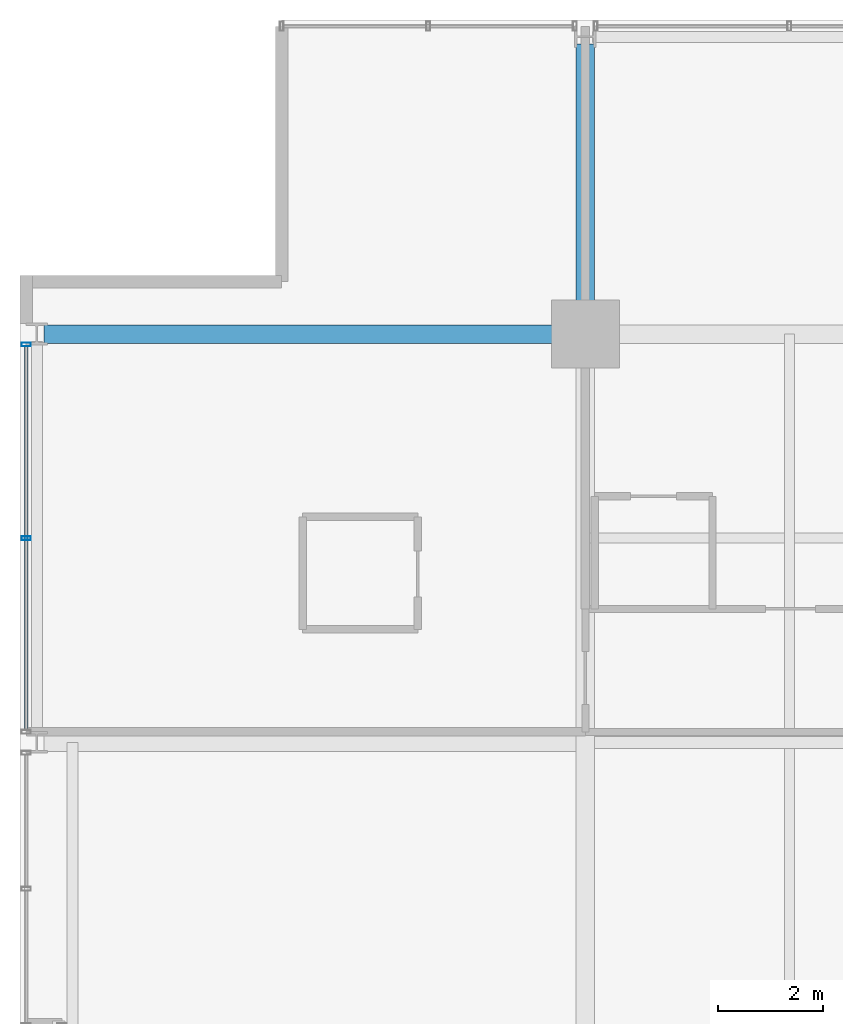
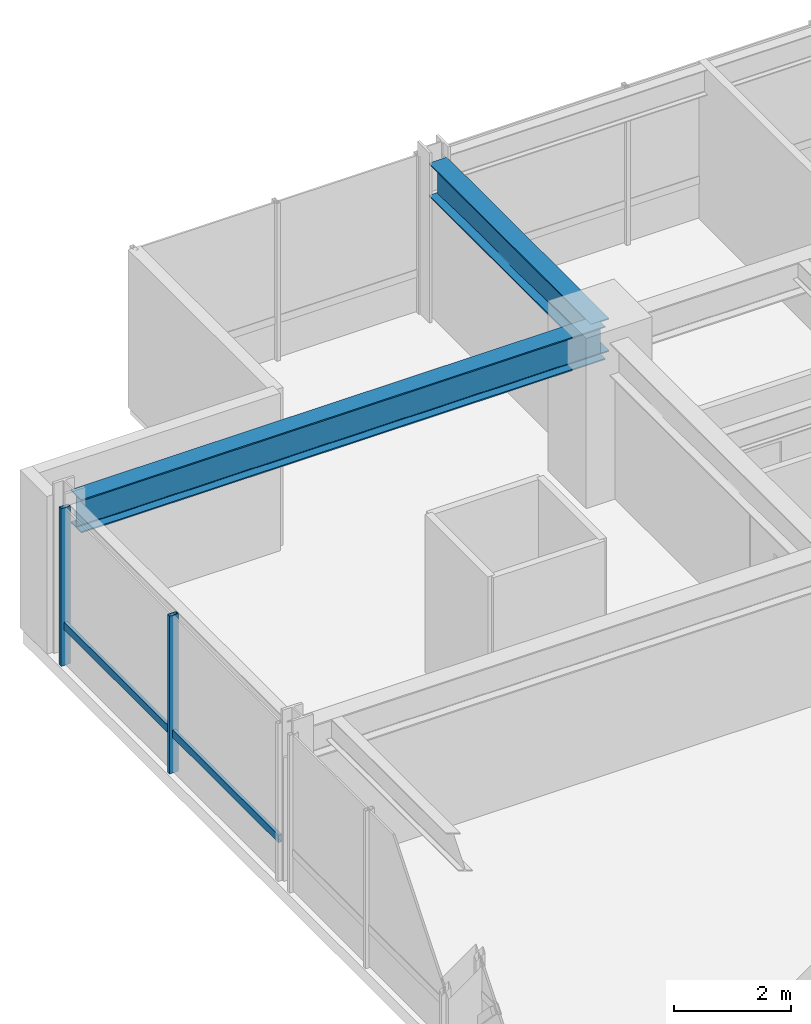
# One storey, part 18 of 33: 3 members, 2 beams, 1 element without a shape of its own.
"""IFC4 building model written with IfcOpenShell, lengths in metres."""

import ifcopenshell
import ifcopenshell.guid

model = None  # the IFC model being written
_history = None  # IfcOwnerHistory: only IFC2X3 demands one
_inside = {}  # id of a spatial element -> (the spatial element, [elements in it])
_under = {}  # id of a project, library or spatial element -> (it, [spatial elements below it])
_declared = {}  # id of a project -> (the project, [libraries it declares])
_typed = {}  # id of a type object -> (the type object, [elements of that type])
_made_of = {}  # id of a material, layer set ... -> (it, [elements and type objects made of it])


def new_model(schema):
    """Start an empty IFC model of exactly this schema.

    Asked for "IFC4X3", IfcOpenShell would pick the latest addendum, in which some entities
    have other attributes; the version numbers below select the first issue.
    IFC2X3 requires an IfcOwnerHistory on every rooted entity: one is made here for all.
    """
    global model, _history
    if schema == "IFC4X3":
        model = ifcopenshell.file(schema_version=(4, 3, 0, 0))
    else:
        model = ifcopenshell.file(schema=schema)
    _inside.clear()
    _under.clear()
    _declared.clear()
    _typed.clear()
    _made_of.clear()
    _history = None
    if model.schema == "IFC2X3":
        org = make("IfcOrganization", Name="unknown")
        user = make(
            "IfcPersonAndOrganization",
            ThePerson=make("IfcPerson", FamilyName="unknown"),
            TheOrganization=org,
        )
        app = make(
            "IfcApplication",
            ApplicationDeveloper=org,
            Version="unknown",
            ApplicationFullName="unknown",
            ApplicationIdentifier="unknown",
        )
        _history = make(
            "IfcOwnerHistory",
            OwningUser=user,
            OwningApplication=app,
            ChangeAction="ADDED",
            CreationDate=0,
        )
    return model


def make(cls, **values):
    """One entity of the class cls with the attributes given. An attribute that is None is left unset."""
    return model.create_entity(
        cls, **{name: value for name, value in values.items() if value is not None}
    )


def rooted(cls, **values):
    """An entity with a GlobalId (a new one), such as an element, a storey or a relation."""
    return make(cls, GlobalId=ifcopenshell.guid.new(), OwnerHistory=_history, **values)


def si_unit(unit_type, name, prefix=None):
    """IfcSIUnit, for example si_unit("LENGTHUNIT", "METRE", prefix="MILLI")."""
    return make("IfcSIUnit", UnitType=unit_type, Prefix=prefix, Name=name)


def assignment(units):
    """IfcUnitAssignment: the units of a project."""
    return None if units is None else make("IfcUnitAssignment", Units=units)


def point(xyz):
    """IfcCartesianPoint."""
    return None if xyz is None else make("IfcCartesianPoint", Coordinates=xyz)


def direction(xyz):
    """IfcDirection."""
    return None if xyz is None else make("IfcDirection", DirectionRatios=xyz)


def frame(location, z_axis=None, x_axis=None):
    """IfcAxis2Placement3D, a coordinate frame: its origin and axes. An axis left out is left unset."""
    return make(
        "IfcAxis2Placement3D",
        Location=point(location),
        Axis=direction(z_axis),
        RefDirection=direction(x_axis),
    )


def frame_2d(location, x_axis=None):
    """IfcAxis2Placement2D, a coordinate frame in the plane: its origin and x axis."""
    return make(
        "IfcAxis2Placement2D", Location=point(location), RefDirection=direction(x_axis)
    )


def origin():
    """The frame at (0, 0, 0) with its axes left unset."""
    return frame((0.0, 0.0, 0.0))


def origin_2d():
    """The frame at (0, 0) in the plane with its x axis left unset."""
    return frame_2d((0.0, 0.0))


def place(relative_to, where):
    """IfcLocalPlacement: puts the frame where relative to a parent placement (None: the world)."""
    return make(
        "IfcLocalPlacement", PlacementRelTo=relative_to, RelativePlacement=where
    )


def context(
    kind, dimensions, precision=None, world=None, true_north=None, identifier=None
):
    """IfcGeometricRepresentationContext, for example the 3D "Model" context."""
    return make(
        "IfcGeometricRepresentationContext",
        ContextIdentifier=identifier,
        ContextType=kind,
        CoordinateSpaceDimension=dimensions,
        Precision=precision,
        WorldCoordinateSystem=world,
        TrueNorth=true_north,
    )


def subcontext(parent, identifier, kind, view, scale=None):
    """IfcGeometricRepresentationSubContext, for example "Body" below "Model"."""
    return make(
        "IfcGeometricRepresentationSubContext",
        ContextIdentifier=identifier,
        ContextType=kind,
        ParentContext=parent,
        TargetScale=scale,
        TargetView=view,
    )


def project(units=None, contexts=None):
    """IfcProject with its units and contexts."""
    return rooted(
        "IfcProject",
        Name="project",
        RepresentationContexts=contexts,
        UnitsInContext=assignment(units),
    )


def spatial(cls, under=None, at=None, **own):
    """A site, building, storey or space (cls), placed at a placement, below another one or the project."""
    s = rooted(cls, ObjectPlacement=at, **own)
    if under is not None:
        _under.setdefault(under.id(), (under, []))[1].append(s)
    return s


def profile(cls, at=None, kind="AREA", **sizes):
    """A parametric profile (cls). Its sizes go by their IFC names, for example OverallWidth=200.0."""
    return make(cls, ProfileType=kind, Position=at, **sizes)


def hollow_rectangle(**sizes):
    """IfcRectangleHollowProfileDef."""
    return profile("IfcRectangleHollowProfileDef", **sizes)


def i_section(**sizes):
    """IfcIShapeProfileDef."""
    return profile("IfcIShapeProfileDef", **sizes)


def extrude(swept, where, along, depth):
    """IfcExtrudedAreaSolid: the profile swept, set in the frame where, extruded along a direction by depth."""
    return make(
        "IfcExtrudedAreaSolid",
        SweptArea=swept,
        Position=where,
        ExtrudedDirection=direction(along),
        Depth=depth,
    )


def shape(context_of_items, identifier, shape_type, items):
    """IfcShapeRepresentation: the items that make up one representation, for example the "Body"."""
    return make(
        "IfcShapeRepresentation",
        ContextOfItems=context_of_items,
        RepresentationIdentifier=identifier,
        RepresentationType=shape_type,
        Items=items,
    )


def material(Name=None, Category=None):
    """IfcMaterial."""
    return make("IfcMaterial", Name=Name, Category=Category)


def layer(
    of_material, thickness, ventilated=None, Name=None, Category=None, Priority=None
):
    """IfcMaterialLayer: one layer of a wall or slab, of a material (None: an air gap)."""
    return make(
        "IfcMaterialLayer",
        Material=of_material,
        LayerThickness=thickness,
        IsVentilated=ventilated,
        Name=Name,
        Category=Category,
        Priority=Priority,
    )


def layer_set(layers, Name=None):
    """IfcMaterialLayerSet."""
    return make("IfcMaterialLayerSet", MaterialLayers=layers, LayerSetName=Name)


def material_profile(
    of_material, cross_section, Name=None, Category=None, Priority=None
):
    """IfcMaterialProfile: a cross section and its material."""
    return make(
        "IfcMaterialProfile",
        Name=Name,
        Material=of_material,
        Profile=cross_section,
        Priority=Priority,
        Category=Category,
    )


def profile_set(profiles, Name=None, composite=None):
    """IfcMaterialProfileSet."""
    return make(
        "IfcMaterialProfileSet",
        Name=Name,
        MaterialProfiles=profiles,
        CompositeProfile=composite,
    )


def made_of(thing, what):
    """Note that an element or type object is made of a material, layer set ...; save() writes the relation."""
    if what is not None:
        _made_of.setdefault(what.id(), (what, []))[1].append(thing)
    return thing


def type_object(cls, material=None, **own):
    """A type object (cls), such as IfcWallType, which elements share."""
    return made_of(rooted(cls, **own), material)


def element(
    cls,
    number,
    at=None,
    inside=None,
    cuts=None,
    type_object=None,
    material=None,
    context=None,
    identifier="Body",
    shape_type=None,
    held_by="IfcProductDefinitionShape",
    body=None,
    shapes=None,
    **own,
):
    """One element of the class cls, such as IfcWall. Its Tag is "e" and its number.

    at: its placement. inside: the storey or other place that contains it. cuts: it is an
    opening in that element (IfcRelVoidsElement). A single representation is given by context,
    identifier, shape_type and body (its items); several are given by shapes. held_by: the class
    of the entity that holds the representations. save() writes the other relations.
    """
    e = rooted(cls, Tag="e%d" % number, ObjectPlacement=at, **own)
    if body is not None:
        shapes = [shape(context, identifier, shape_type, body)]
    if shapes is not None:
        e.Representation = make(held_by, Representations=shapes)
    if inside is not None:
        _inside.setdefault(inside.id(), (inside, []))[1].append(e)
    if cuts is not None:
        rooted(
            "IfcRelVoidsElement", RelatingBuildingElement=cuts, RelatedOpeningElement=e
        )
    if type_object is not None:
        _typed.setdefault(type_object.id(), (type_object, []))[1].append(e)
    return made_of(e, material)


def aggregate(whole, parts):
    """IfcRelAggregates: a whole, such as a stair, and the parts it consists of."""
    return rooted("IfcRelAggregates", RelatingObject=whole, RelatedObjects=parts)


def save(model, path):
    """Write the relations noted so far, then the file.

    IfcRelAggregates (storeys below a building ...), IfcRelContainedInSpatialStructure (elements
    in a storey), IfcRelDefinesByType, IfcRelAssociatesMaterial and IfcRelDeclares: one each for
    every whole, place, type object, material and project.
    """
    for whole, parts in _under.values():
        aggregate(whole, parts)
    for where, things in _inside.values():
        rooted(
            "IfcRelContainedInSpatialStructure",
            RelatedElements=things,
            RelatingStructure=where,
        )
    for kind, things in _typed.values():
        rooted("IfcRelDefinesByType", RelatedObjects=things, RelatingType=kind)
    for what, things in _made_of.values():
        rooted("IfcRelAssociatesMaterial", RelatedObjects=things, RelatingMaterial=what)
    for by, libraries in _declared.values():
        rooted("IfcRelDeclares", RelatingContext=by, RelatedDefinitions=libraries)
    model.write(path)


model = new_model("IFC4")

# Units and contexts
model_context = context("Model", 3, precision=1e-05, world=origin(), true_north=direction((0.0, 1.0)))
body_context = subcontext(model_context, "Body", "Model", "MODEL_VIEW")
ifc_project = project(units=[si_unit("LENGTHUNIT", "METRE"), si_unit("AREAUNIT", "SQUARE_METRE"), si_unit("VOLUMEUNIT", "CUBIC_METRE"), si_unit("PLANEANGLEUNIT", "RADIAN"), si_unit("MASSUNIT", "GRAM", prefix="KILO")], contexts=[model_context])

# Site, building, storey
site_placement = place(None, origin())
site = spatial("IfcSite", under=ifc_project, at=site_placement, CompositionType="ELEMENT")
building_placement = place(site_placement, origin())
building = spatial("IfcBuilding", under=site, at=building_placement, Name="Drelvath Grand Hotel", CompositionType="ELEMENT")
storey_placement = place(building_placement, frame((0.0, 0.0, 153.949951171875)))
storey = spatial("IfcBuildingStorey", under=building, at=storey_placement, Name="L39", CompositionType="ELEMENT", Elevation=153.949951171875)

# Curtain wall, members
ifc_material_1 = material(Name="Brushed Pale-Silver Anodised Aluminium Frame", Category="aluminium")
ifc_layer = layer(ifc_material_1, 0.199951171875)
ifc_layer_set = layer_set([ifc_layer], Name="Brushed Pale-Silver Anodised Aluminium Frame")
curtain_wall_type = type_object("IfcCurtainWallType", Name="Stick Curtain Wall CW-04 Brushed Silver Upper-Mid", PredefinedType="NOTDEFINED", material=ifc_layer_set)
curtain_wall_placement = place(storey_placement, origin())
curtain_wall = element("IfcCurtainWall", 1, at=curtain_wall_placement, inside=storey, type_object=curtain_wall_type, Name="L39 CW-04 Curtain Wall CW04-L39-WN2", PredefinedType="NOTDEFINED")
ifc_material_profile_1 = material_profile(ifc_material_1, hollow_rectangle(XDim=0.06494140625, YDim=0.159912109375, WallThickness=0.00390625, at=origin_2d()), Name="HSS160X65X4")
ifc_profile_set_1 = profile_set([ifc_material_profile_1], Name="Brushed Pale-Silver Anodised Aluminium Frame")
member_type_1 = type_object("IfcMemberType", Name="Curtain Wall Horizontal Transom CW-04 HSS160X65X4", PredefinedType="USERDEFINED", material=ifc_profile_set_1)
member_1_placement = place(storey_placement, frame((-26.8798828125, 35.639892578125, 0.822509765625), z_axis=(0.0, 1.0, 0.0), x_axis=(-1.0, 0.0, 0.0)))
member_1 = element("IfcMember", 2, at=member_1_placement, type_object=member_type_1, Name="CW04-L39-WN2 Sill Transom", ObjectType="TRANSOM", PredefinedType="USERDEFINED", context=body_context, shape_type="SweptSolid", body=[
    extrude(hollow_rectangle(XDim=0.06494140625, YDim=0.159912109375, WallThickness=0.00390625, at=origin_2d()), origin(), (0.0, 0.0, 1.0), 7.320068359375),
])
ifc_material_profile_2 = material_profile(ifc_material_1, hollow_rectangle(XDim=0.074951171875, YDim=0.179931640625, WallThickness=0.0048828125, at=origin_2d()), Name="HSS180X75X5")
ifc_profile_set_2 = profile_set([ifc_material_profile_2], Name="Brushed Pale-Silver Anodised Aluminium Frame")
member_type_2 = type_object("IfcMemberType", Name="Curtain Wall Vertical Mullion CW-04 HSS180X75X5", PredefinedType="MULLION", material=ifc_profile_set_2)
member_2_placement = place(storey_placement, frame((-26.8798828125, 39.300048828125, 0.0), z_axis=(0.0, 0.0, 1.0), x_axis=(0.0, 1.0, 0.0)))
member_2 = element("IfcMember", 3, at=member_2_placement, type_object=member_type_2, Name="CW04-L39-WN2 Mullion 2", PredefinedType="MULLION", context=body_context, shape_type="SweptSolid", body=[
    extrude(hollow_rectangle(XDim=0.074951171875, YDim=0.179931640625, WallThickness=0.0048828125, at=origin_2d()), origin(), (0.0, 0.0, 1.0), 3.2900390625),
])
member_3_placement = place(storey_placement, frame((-26.8798828125, 43.0, 0.0), z_axis=(0.0, 0.0, 1.0), x_axis=(0.0, 1.0, 0.0)))
member_3 = element("IfcMember", 4, at=member_3_placement, type_object=member_type_2, Name="CW04-L39-WN2 Mullion 3", PredefinedType="MULLION", context=body_context, shape_type="SweptSolid", body=[
    extrude(hollow_rectangle(XDim=0.074951171875, YDim=0.179931640625, WallThickness=0.0048828125, at=origin_2d()), origin(), (0.0, 0.0, 1.0), 3.2900390625),
])
aggregate(curtain_wall, [member_2, member_3, member_1])

# Beams
ifc_material_2 = material(Name="Steel ASTM A992 Gr 50", Category="steel")
ifc_material_profile_3 = material_profile(ifc_material_2, i_section(OverallWidth=0.354736328125, OverallDepth=0.695556640625, WebThickness=0.015380859375, FlangeThickness=0.025146484375, FilletRadius=0.02392578125, at=origin_2d()), Name="W27X146")
ifc_profile_set_3 = profile_set([ifc_material_profile_3], Name="Steel ASTM A992 Gr 50")
beam_type = type_object("IfcBeamType", Name="Primary Floor Girder W27X146", PredefinedType="BEAM", material=ifc_profile_set_3)
beam_1_placement = place(storey_placement, frame((-26.5400390625, 43.199951171875, 2.9423828125), z_axis=(1.0, 0.0, 0.0), x_axis=(0.0, 1.0, 0.0)))
element("IfcBeam", 5, at=beam_1_placement, inside=storey, type_object=beam_type, Name="L39 West Grid Girder G", PredefinedType="BEAM", context=body_context, shape_type="SweptSolid", body=[
    extrude(i_section(OverallWidth=0.354736328125, OverallDepth=0.695556640625, WebThickness=0.015380859375, FlangeThickness=0.025146484375, FilletRadius=0.02392578125, at=origin_2d()), origin(), (0.0, 0.0, 1.0), 10.340087890625),
])
beam_2_placement = place(storey_placement, frame((-16.199951171875, 43.199951171875, 2.9423828125), z_axis=(0.0, 1.0, 0.0), x_axis=(-1.0, 0.0, 0.0)))
element("IfcBeam", 6, at=beam_2_placement, inside=storey, type_object=beam_type, Name="L39 North Grid Girder 3", PredefinedType="BEAM", context=body_context, shape_type="SweptSolid", body=[
    extrude(i_section(OverallWidth=0.354736328125, OverallDepth=0.695556640625, WebThickness=0.015380859375, FlangeThickness=0.025146484375, FilletRadius=0.02392578125, at=origin_2d()), origin(), (0.0, 0.0, 1.0), 5.5400390625),
])

save(model, "model.ifc")
